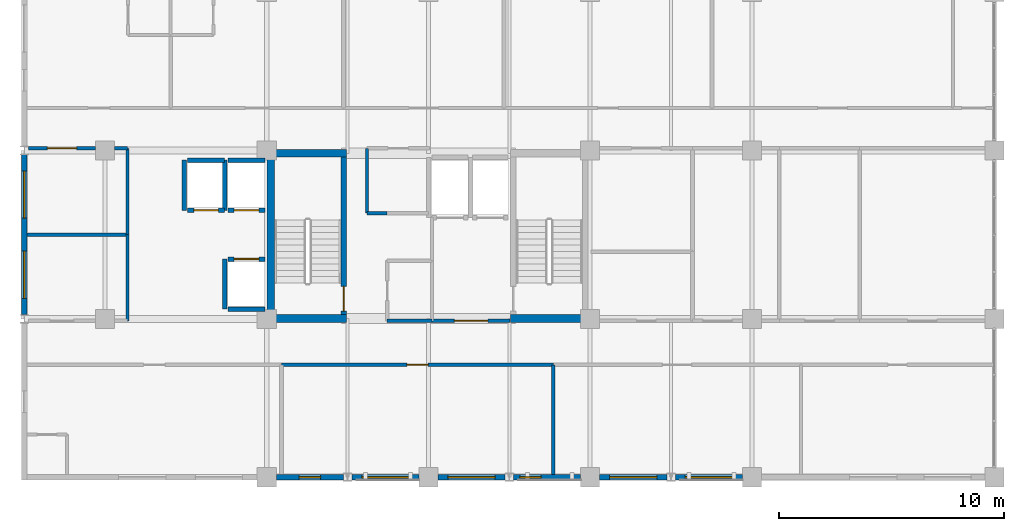
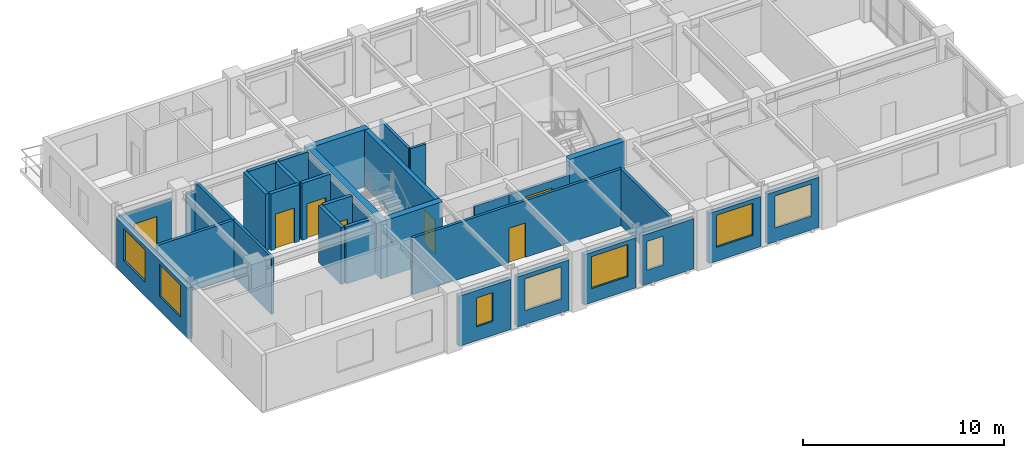
# One storey, part 6 of 11: 32 walls, 8 windows, 7 doors, 15 openings.
"""IFC4 building model written with IfcOpenShell, lengths in metres."""

from ifc_helpers import new_model, si_unit, direction, frame, frame_2d, origin, place, context, subcontext, project, spatial, rectangle, extrude, material, layer, layer_set, type_object, element, fill, save


model = new_model("IFC4")

# Units and contexts
model_context = context("Model", 3, precision=1e-05, world=origin(), true_north=direction((0.0, 1.0)))
body_context = subcontext(model_context, "Body", "Model", "MODEL_VIEW")
ifc_project = project(units=[si_unit("LENGTHUNIT", "METRE"), si_unit("AREAUNIT", "SQUARE_METRE"), si_unit("VOLUMEUNIT", "CUBIC_METRE"), si_unit("PLANEANGLEUNIT", "RADIAN"), si_unit("MASSUNIT", "GRAM", prefix="KILO")], contexts=[model_context])

# Site, building, storey
site_placement = place(None, origin())
site = spatial("IfcSite", under=ifc_project, at=site_placement, CompositionType="ELEMENT")
building_placement = place(site_placement, origin())
building = spatial("IfcBuilding", under=site, at=building_placement, Name="Kaliganga Portal Commons", CompositionType="ELEMENT")
storey_placement = place(building_placement, frame((0.0, 0.0, 264.699951171875)))
storey = spatial("IfcBuildingStorey", under=building, at=storey_placement, Name="L68", CompositionType="ELEMENT", Elevation=264.699951171875)

# Walls
ifc_material_1 = material(Name="Concrete C50/60", Category="concrete")
ifc_layer_1 = layer(ifc_material_1, 0.35009765625)
ifc_layer_set_1 = layer_set([ifc_layer_1], Name="Concrete C50/60")
wall_type_1 = type_object("IfcWallType", Name="WL-CORE-350", PredefinedType="SHEAR", material=ifc_layer_set_1)
wall_1_placement = place(storey_placement, frame((14.574951171875, 28.5, 0.0), z_axis=(0.0, 0.0, 1.0), x_axis=(0.0, 1.0, 0.0)))
element("IfcWall", 1, at=wall_1_placement, inside=storey, type_object=wall_type_1, Name="Core A West Shear Wall L68", PredefinedType="SHEAR", context=body_context, shape_type="SweptSolid", body=[
    extrude(rectangle(XDim=7.699951171875, YDim=0.35009765625, at=frame_2d((3.85009765625, 0.0))), origin(), (0.0, 0.0, 1.0), 3.47509765625),
])
for number, where, z_axis, x_axis, name in (
    (2, (14.75, 28.675048828125, 0.0), (0.0, 0.0, 1.0), (1.0, 0.0, 0.0), "Core A S-West Shear Wall L68"),
    (3, (25.25, 28.675048828125, 0.0), (0.0, 0.0, 1.0), (1.0, 0.0, 0.0), "Core A S-East Shear Wall L68"),
    (4, (14.75, 36.02490234375, 0.0), (0.0, 0.0, 1.0), (1.0, 0.0, 0.0), "Core A N-West Shear Wall L68"),
):
    element("IfcWall", number, at=place(storey_placement, frame(where, z_axis=z_axis, x_axis=x_axis)), inside=storey, type_object=wall_type_1, Name=name, PredefinedType="SHEAR", context=body_context, shape_type="SweptSolid", body=[
        extrude(rectangle(XDim=3.199951171875, YDim=0.35009765625, at=frame_2d((1.60009765625, 0.0))), origin(), (0.0, 0.0, 1.0), 3.47509765625),
    ])

# Wall, opening, window
ifc_material_2 = material(Name="Insulated Aluminium-Clad Spandrel Assembly", Category="aluminium")
ifc_layer_2 = layer(ifc_material_2, 0.260009765625)
ifc_layer_set_2 = layer_set([ifc_layer_2], Name="Insulated Aluminium-Clad Spandrel Assembly")
wall_type_2 = type_object("IfcWallType", Name="WL-EXT-SPAND-260", PredefinedType="STANDARD", material=ifc_layer_set_2)
wall_2_placement = place(storey_placement, frame((17.81201171875, 21.60009765625, 0.0), z_axis=(0.0, 0.0, 1.0), x_axis=(-1.0, 0.0, 0.0)))
wall_2 = element("IfcWall", 5, at=wall_2_placement, inside=storey, type_object=wall_type_2, Name="Exterior Envelope Wall L68 P1-E00-S2", PredefinedType="STANDARD", context=body_context, shape_type="SweptSolid", body=[
    extrude(rectangle(XDim=2.986083984375, YDim=0.260009765625, at=frame_2d((1.4931640625, 0.0))), origin(), (0.0, 0.0, 1.0), 3.054931640625),
])
opening_1_placement = place(wall_2_placement, frame((1.01806640625, 0.0, 0.85009765625)))
opening_1 = element("IfcOpeningElement", 6, at=opening_1_placement, cuts=wall_2, Name="Opening W-04", PredefinedType="OPENING", context=body_context, shape_type="SweptSolid", body=[
    extrude(rectangle(XDim=0.949951171875, YDim=1.75, at=frame_2d((0.47509765625, 0.875))), frame((0.0, 0.14013671875, 0.0), z_axis=(0.0, -1.0, 0.0), x_axis=(1.0, 0.0, 0.0)), (0.0, 0.0, 1.0), 0.280029296875),
])
ifc_material_3 = material(Name="Thermally Broken Aluminium and Low-E Double Glazing", Category="aluminium")
window_type_1 = type_object("IfcWindowType", Name="WIN-NARROW-950", PartitioningType="SINGLE_PANEL", PredefinedType="WINDOW", material=ifc_material_3)
window_1_placement = place(opening_1_placement, origin())
window_1 = element("IfcWindow", 7, at=window_1_placement, inside=storey, type_object=window_type_1, Name="Facade Window L68-P1E00S2-N0", OverallHeight=1.75, OverallWidth=0.949951171875, PartitioningType="SINGLE_PANEL", PredefinedType="WINDOW", context=body_context, shape_type="SweptSolid", body=[
    extrude(rectangle(XDim=0.949951171875, YDim=1.75, at=frame_2d((0.47509765625, 0.875))), frame((0.0, 0.030029296875, 0.0), z_axis=(0.0, -1.0, 0.0), x_axis=(1.0, 0.0, 0.0)), (0.0, 0.0, 1.0), 0.06005859375),
])
fill(opening_1, window_1)

wall_3_placement = place(storey_placement, frame((21.174072265625, 21.60009765625, 0.0), z_axis=(0.0, 0.0, 1.0), x_axis=(-1.0, 0.0, 0.0)))
wall_3 = element("IfcWall", 8, at=wall_3_placement, inside=storey, type_object=wall_type_2, Name="Exterior Envelope Wall L68 P1-E00-S3", PredefinedType="STANDARD", context=body_context, shape_type="SweptSolid", body=[
    extrude(rectangle(XDim=2.986083984375, YDim=0.260009765625, at=frame_2d((1.4931640625, 0.0))), origin(), (0.0, 0.0, 1.0), 3.054931640625),
])
opening_2_placement = place(wall_3_placement, frame((0.443115234375, 0.0, 0.85009765625)))
opening_2 = element("IfcOpeningElement", 9, at=opening_2_placement, cuts=wall_3, Name="Opening W-06", PredefinedType="OPENING", context=body_context, shape_type="SweptSolid", body=[
    extrude(rectangle(XDim=2.10009765625, YDim=1.949951171875, at=frame_2d((1.050048828125, 0.97509765625))), frame((0.0, 0.14013671875, 0.0), z_axis=(0.0, -1.0, 0.0), x_axis=(1.0, 0.0, 0.0)), (0.0, 0.0, 1.0), 0.280029296875),
])
window_type_2 = type_object("IfcWindowType", Name="WIN-PAN-2100", PartitioningType="DOUBLE_PANEL_VERTICAL", PredefinedType="WINDOW", material=ifc_material_3)
window_2_placement = place(opening_2_placement, origin())
window_2 = element("IfcWindow", 10, at=window_2_placement, inside=storey, type_object=window_type_2, Name="Facade Window L68-P1E00S3-00", OverallHeight=1.949951171875, OverallWidth=2.10009765625, PartitioningType="SINGLE_PANEL", PredefinedType="WINDOW", context=body_context, shape_type="SweptSolid", body=[
    extrude(rectangle(XDim=2.10009765625, YDim=1.949951171875, at=frame_2d((1.050048828125, 0.97509765625))), frame((0.0, 0.030029296875, 0.0), z_axis=(0.0, -1.0, 0.0), x_axis=(1.0, 0.0, 0.0)), (0.0, 0.0, 1.0), 0.06005859375),
])
fill(opening_2, window_2)

wall_4_placement = place(storey_placement, frame((25.011962890625, 21.60009765625, 0.0), z_axis=(0.0, 0.0, 1.0), x_axis=(-1.0, 0.0, 0.0)))
wall_4 = element("IfcWall", 11, at=wall_4_placement, inside=storey, type_object=wall_type_2, Name="Exterior Envelope Wall L68 P1-E00-S4", PredefinedType="STANDARD", context=body_context, shape_type="SweptSolid", body=[
    extrude(rectangle(XDim=2.986083984375, YDim=0.260009765625, at=frame_2d((1.4931640625, 0.0))), origin(), (0.0, 0.0, 1.0), 3.054931640625),
])
opening_3_placement = place(wall_4_placement, frame((0.443115234375, 0.0, 0.85009765625)))
opening_3 = element("IfcOpeningElement", 12, at=opening_3_placement, cuts=wall_4, Name="Opening W-06", PredefinedType="OPENING", context=body_context, shape_type="SweptSolid", body=[
    extrude(rectangle(XDim=2.10009765625, YDim=1.949951171875, at=frame_2d((1.050048828125, 0.97509765625))), frame((0.0, 0.14013671875, 0.0), z_axis=(0.0, -1.0, 0.0), x_axis=(1.0, 0.0, 0.0)), (0.0, 0.0, 1.0), 0.280029296875),
])
window_3_placement = place(opening_3_placement, origin())
window_3 = element("IfcWindow", 13, at=window_3_placement, inside=storey, type_object=window_type_2, Name="Facade Window L68-P1E00S4-00", OverallHeight=1.949951171875, OverallWidth=2.10009765625, PartitioningType="SINGLE_PANEL", PredefinedType="WINDOW", context=body_context, shape_type="SweptSolid", body=[
    extrude(rectangle(XDim=2.10009765625, YDim=1.949951171875, at=frame_2d((1.050048828125, 0.97509765625))), frame((0.0, 0.030029296875, 0.0), z_axis=(0.0, -1.0, 0.0), x_axis=(1.0, 0.0, 0.0)), (0.0, 0.0, 1.0), 0.06005859375),
])
fill(opening_3, window_3)

wall_5_placement = place(storey_placement, frame((28.3740234375, 21.60009765625, 0.0), z_axis=(0.0, 0.0, 1.0), x_axis=(-1.0, 0.0, 0.0)))
wall_5 = element("IfcWall", 14, at=wall_5_placement, inside=storey, type_object=wall_type_2, Name="Exterior Envelope Wall L68 P1-E00-S5", PredefinedType="STANDARD", context=body_context, shape_type="SweptSolid", body=[
    extrude(rectangle(XDim=2.986083984375, YDim=0.260009765625, at=frame_2d((1.4931640625, 0.0))), origin(), (0.0, 0.0, 1.0), 3.054931640625),
])
opening_4_placement = place(wall_5_placement, frame((1.758544921875, 0.0, 0.85009765625)))
opening_4 = element("IfcOpeningElement", 15, at=opening_4_placement, cuts=wall_5, Name="Opening W-04", PredefinedType="OPENING", context=body_context, shape_type="SweptSolid", body=[
    extrude(rectangle(XDim=0.949951171875, YDim=1.75, at=frame_2d((0.47509765625, 0.875))), frame((0.0, 0.14013671875, 0.0), z_axis=(0.0, -1.0, 0.0), x_axis=(1.0, 0.0, 0.0)), (0.0, 0.0, 1.0), 0.280029296875),
])
window_4_placement = place(opening_4_placement, origin())
window_4 = element("IfcWindow", 16, at=window_4_placement, inside=storey, type_object=window_type_1, Name="Facade Window L68-P1E00S5-N2", OverallHeight=1.75, OverallWidth=0.949951171875, PartitioningType="SINGLE_PANEL", PredefinedType="WINDOW", context=body_context, shape_type="SweptSolid", body=[
    extrude(rectangle(XDim=0.949951171875, YDim=1.75, at=frame_2d((0.47509765625, 0.875))), frame((0.0, 0.030029296875, 0.0), z_axis=(0.0, -1.0, 0.0), x_axis=(1.0, 0.0, 0.0)), (0.0, 0.0, 1.0), 0.06005859375),
])
fill(opening_4, window_4)

wall_6_placement = place(storey_placement, frame((32.2119140625, 21.60009765625, 0.0), z_axis=(0.0, 0.0, 1.0), x_axis=(-1.0, 0.0, 0.0)))
wall_6 = element("IfcWall", 17, at=wall_6_placement, inside=storey, type_object=wall_type_2, Name="Exterior Envelope Wall L68 P1-E00-S6", PredefinedType="STANDARD", context=body_context, shape_type="SweptSolid", body=[
    extrude(rectangle(XDim=2.98583984375, YDim=0.260009765625, at=frame_2d((1.492919921875, 0.0))), origin(), (0.0, 0.0, 1.0), 3.054931640625),
])
opening_5_placement = place(wall_6_placement, frame((0.443115234375, 0.0, 0.85009765625)))
opening_5 = element("IfcOpeningElement", 18, at=opening_5_placement, cuts=wall_6, Name="Opening W-06", PredefinedType="OPENING", context=body_context, shape_type="SweptSolid", body=[
    extrude(rectangle(XDim=2.10009765625, YDim=1.949951171875, at=frame_2d((1.050048828125, 0.97509765625))), frame((0.0, 0.14013671875, 0.0), z_axis=(0.0, -1.0, 0.0), x_axis=(1.0, 0.0, 0.0)), (0.0, 0.0, 1.0), 0.280029296875),
])
window_5_placement = place(opening_5_placement, origin())
window_5 = element("IfcWindow", 19, at=window_5_placement, inside=storey, type_object=window_type_2, Name="Facade Window L68-P1E00S6-00", OverallHeight=1.949951171875, OverallWidth=2.10009765625, PartitioningType="SINGLE_PANEL", PredefinedType="WINDOW", context=body_context, shape_type="SweptSolid", body=[
    extrude(rectangle(XDim=2.10009765625, YDim=1.949951171875, at=frame_2d((1.050048828125, 0.97509765625))), frame((0.0, 0.030029296875, 0.0), z_axis=(0.0, -1.0, 0.0), x_axis=(1.0, 0.0, 0.0)), (0.0, 0.0, 1.0), 0.06005859375),
])
fill(opening_5, window_5)

wall_7_placement = place(storey_placement, frame((35.573974609375, 21.60009765625, 0.0), z_axis=(0.0, 0.0, 1.0), x_axis=(-1.0, 0.0, 0.0)))
wall_7 = element("IfcWall", 20, at=wall_7_placement, inside=storey, type_object=wall_type_2, Name="Exterior Envelope Wall L68 P1-E00-S7", PredefinedType="STANDARD", context=body_context, shape_type="SweptSolid", body=[
    extrude(rectangle(XDim=2.986083984375, YDim=0.260009765625, at=frame_2d((1.4931640625, 0.0))), origin(), (0.0, 0.0, 1.0), 3.054931640625),
])
opening_6_placement = place(wall_7_placement, frame((0.443115234375, 0.0, 0.85009765625)))
opening_6 = element("IfcOpeningElement", 21, at=opening_6_placement, cuts=wall_7, Name="Opening W-06", PredefinedType="OPENING", context=body_context, shape_type="SweptSolid", body=[
    extrude(rectangle(XDim=2.10009765625, YDim=1.949951171875, at=frame_2d((1.050048828125, 0.97509765625))), frame((0.0, 0.14013671875, 0.0), z_axis=(0.0, -1.0, 0.0), x_axis=(1.0, 0.0, 0.0)), (0.0, 0.0, 1.0), 0.280029296875),
])
window_6_placement = place(opening_6_placement, origin())
window_6 = element("IfcWindow", 22, at=window_6_placement, inside=storey, type_object=window_type_2, Name="Facade Window L68-P1E00S7-00", OverallHeight=1.949951171875, OverallWidth=2.10009765625, PartitioningType="SINGLE_PANEL", PredefinedType="WINDOW", context=body_context, shape_type="SweptSolid", body=[
    extrude(rectangle(XDim=2.10009765625, YDim=1.949951171875, at=frame_2d((1.050048828125, 0.97509765625))), frame((0.0, 0.030029296875, 0.0), z_axis=(0.0, -1.0, 0.0), x_axis=(1.0, 0.0, 0.0)), (0.0, 0.0, 1.0), 0.06005859375),
])
fill(opening_6, window_6)

# Wall, openings, windows
wall_8_placement = place(storey_placement, frame((3.60009765625, 28.8369140625, 0.0), z_axis=(0.0, 0.0, 1.0), x_axis=(0.0, 1.0, 0.0)))
wall_8 = element("IfcWall", 23, at=wall_8_placement, inside=storey, type_object=wall_type_2, Name="Exterior Envelope Wall L68 P1-E03-S2", PredefinedType="STANDARD", context=body_context, shape_type="SweptSolid", body=[
    extrude(rectangle(XDim=7.1259765625, YDim=0.260009765625, at=frame_2d((3.56298828125, 0.0))), origin(), (0.0, 0.0, 1.0), 3.054931640625),
])
opening_7_placement = place(wall_8_placement, frame((0.7314453125, 0.0, 0.85009765625)))
opening_7 = element("IfcOpeningElement", 24, at=opening_7_placement, cuts=wall_8, Name="Opening W-06", PredefinedType="OPENING", context=body_context, shape_type="SweptSolid", body=[
    extrude(rectangle(XDim=2.10009765625, YDim=1.949951171875, at=frame_2d((1.050048828125, 0.97509765625))), frame((0.0, 0.14013671875, 0.0), z_axis=(0.0, -1.0, 0.0), x_axis=(1.0, 0.0, 0.0)), (0.0, 0.0, 1.0), 0.280029296875),
])
opening_8_placement = place(wall_8_placement, frame((4.29443359375, 0.0, 0.85009765625)))
opening_8 = element("IfcOpeningElement", 25, at=opening_8_placement, cuts=wall_8, Name="Opening W-06", PredefinedType="OPENING", context=body_context, shape_type="SweptSolid", body=[
    extrude(rectangle(XDim=2.10009765625, YDim=1.949951171875, at=frame_2d((1.050048828125, 0.97509765625))), frame((0.0, 0.14013671875, 0.0), z_axis=(0.0, -1.0, 0.0), x_axis=(1.0, 0.0, 0.0)), (0.0, 0.0, 1.0), 0.280029296875),
])
window_7_placement = place(opening_7_placement, origin())
window_7 = element("IfcWindow", 26, at=window_7_placement, inside=storey, type_object=window_type_2, Name="Facade Window L68-P1E03S2-00", OverallHeight=1.949951171875, OverallWidth=2.10009765625, PartitioningType="SINGLE_PANEL", PredefinedType="WINDOW", context=body_context, shape_type="SweptSolid", body=[
    extrude(rectangle(XDim=2.10009765625, YDim=1.949951171875, at=frame_2d((1.050048828125, 0.97509765625))), frame((0.0, 0.030029296875, 0.0), z_axis=(0.0, -1.0, 0.0), x_axis=(1.0, 0.0, 0.0)), (0.0, 0.0, 1.0), 0.06005859375),
])
fill(opening_7, window_7)
window_8_placement = place(opening_8_placement, origin())
window_8 = element("IfcWindow", 27, at=window_8_placement, inside=storey, type_object=window_type_2, Name="Facade Window L68-P1E03S2-01", OverallHeight=1.949951171875, OverallWidth=2.10009765625, PartitioningType="SINGLE_PANEL", PredefinedType="WINDOW", context=body_context, shape_type="SweptSolid", body=[
    extrude(rectangle(XDim=2.10009765625, YDim=1.949951171875, at=frame_2d((1.050048828125, 0.97509765625))), frame((0.0, 0.030029296875, 0.0), z_axis=(0.0, -1.0, 0.0), x_axis=(1.0, 0.0, 0.0)), (0.0, 0.0, 1.0), 0.06005859375),
])
fill(opening_8, window_8)

# Wall, opening, door
ifc_material_4 = material(Name="Fire-Rated Gypsum Board on Steel Stud", Category="steel")
ifc_layer_3 = layer(ifc_material_4, 0.14990234375)
ifc_layer_set_3 = layer_set([ifc_layer_3], Name="Fire-Rated Gypsum Board on Steel Stud")
wall_type_3 = type_object("IfcWallType", Name="WL-PART-CORR-150", PredefinedType="PARTITIONING", material=ifc_layer_set_3)
wall_9_placement = place(storey_placement, frame((15.06005859375, 26.60009765625, 0.0), z_axis=(0.0, 0.0, 1.0), x_axis=(1.0, 0.0, 0.0)))
wall_9 = element("IfcWall", 28, at=wall_9_placement, inside=storey, type_object=wall_type_3, Name="Interior Partition L68-008", PredefinedType="PARTITIONING", context=body_context, shape_type="SweptSolid", body=[
    extrude(rectangle(XDim=12.099853515625, YDim=0.14990234375, at=frame_2d((6.0498046875, 0.0))), origin(), (0.0, 0.0, 1.0), 3.455078125),
])
opening_9_placement = place(wall_9_placement, frame((5.574951171875, 0.0, 0.0)))
opening_9 = element("IfcOpeningElement", 29, at=opening_9_placement, cuts=wall_9, Name="Opening UD-01", PredefinedType="OPENING", context=body_context, shape_type="SweptSolid", body=[
    extrude(rectangle(XDim=0.949951171875, YDim=2.10009765625, at=frame_2d((0.47509765625, 1.050048828125))), frame((0.0, 0.0849609375, 0.0), z_axis=(0.0, -1.0, 0.0), x_axis=(1.0, 0.0, 0.0)), (0.0, 0.0, 1.0), 0.169921875),
])
ifc_material_5 = material(Name="Solid-Core Timber Acoustic Fire Door", Category="wood")
door_type_1 = type_object("IfcDoorType", Name="DR-UNIT-950", OperationType="NOTDEFINED", PredefinedType="DOOR", material=ifc_material_5)
door_1_placement = place(opening_9_placement, origin())
door_1 = element("IfcDoor", 30, at=door_1_placement, inside=storey, type_object=door_type_1, Name="Interior Door L68-AS02", OperationType="SINGLE_SWING_RIGHT", OverallHeight=2.10009765625, OverallWidth=0.949951171875, PredefinedType="DOOR", context=body_context, shape_type="SweptSolid", body=[
    extrude(rectangle(XDim=0.949951171875, YDim=2.10009765625, at=frame_2d((0.47509765625, 1.050048828125))), frame((0.0, 0.02490234375, 0.0), z_axis=(0.0, -1.0, 0.0), x_axis=(1.0, 0.0, 0.0)), (0.0, 0.0, 1.0), 0.050048828125),
])
fill(opening_9, door_1)

wall_10_placement = place(storey_placement, frame((3.787109375, 36.239990234375, 0.0), z_axis=(0.0, 0.0, 1.0), x_axis=(1.0, 0.0, 0.0)))
wall_10 = element("IfcWall", 31, at=wall_10_placement, inside=storey, type_object=wall_type_3, Name="Interior Partition L68-021", PredefinedType="PARTITIONING", context=body_context, shape_type="SweptSolid", body=[
    extrude(rectangle(XDim=2.98779296875, YDim=0.14990234375, at=frame_2d((1.493896484375, 0.0))), origin(), (0.0, 0.0, 1.0), 2.905029296875),
])
opening_10_placement = place(wall_10_placement, frame((0.843994140625, 0.0, 0.0)))
opening_10 = element("IfcOpeningElement", 32, at=opening_10_placement, cuts=wall_10, Name="Opening RD-03", PredefinedType="OPENING", context=body_context, shape_type="SweptSolid", body=[
    extrude(rectangle(XDim=1.300048828125, YDim=2.1201171875, at=frame_2d((0.64990234375, 1.06005859375))), frame((0.0, 0.0849609375, 0.0), z_axis=(0.0, -1.0, 0.0), x_axis=(1.0, 0.0, 0.0)), (0.0, 0.0, 1.0), 0.169921875),
])
ifc_material_6 = material(Name="Glazed Timber Seminar Vision Door", Category="wood")
door_type_2 = type_object("IfcDoorType", Name="DR-STUDY-1300", OperationType="DOUBLE_DOOR_SINGLE_SWING", PredefinedType="DOOR", material=ifc_material_6)
door_2_placement = place(opening_10_placement, origin())
door_2 = element("IfcDoor", 33, at=door_2_placement, inside=storey, type_object=door_type_2, Name="Interior Door L68-AW02", OperationType="DOUBLE_DOOR_SINGLE_SWING", OverallHeight=2.1201171875, OverallWidth=1.300048828125, PredefinedType="DOOR", context=body_context, shape_type="SweptSolid", body=[
    extrude(rectangle(XDim=1.300048828125, YDim=2.1201171875, at=frame_2d((0.64990234375, 1.06005859375))), frame((0.0, 0.02490234375, 0.0), z_axis=(0.0, -1.0, 0.0), x_axis=(1.0, 0.0, 0.0)), (0.0, 0.0, 1.0), 0.050048828125),
])
fill(opening_10, door_2)

# Walls
wall_11_placement = place(storey_placement, frame((7.625, 36.239990234375, 0.0), z_axis=(0.0, 0.0, 1.0), x_axis=(1.0, 0.0, 0.0)))
element("IfcWall", 34, at=wall_11_placement, inside=storey, type_object=wall_type_3, Name="Interior Partition L68-022", PredefinedType="PARTITIONING", context=body_context, shape_type="SweptSolid", body=[
    extrude(rectangle(XDim=0.574951171875, YDim=0.14990234375, at=frame_2d((0.28759765625, 0.0))), origin(), (0.0, 0.0, 1.0), 2.905029296875),
])
wall_12_placement = place(storey_placement, frame((8.199951171875, 32.39990234375, 0.0), z_axis=(0.0, 0.0, 1.0), x_axis=(0.0, 1.0, 0.0)))
element("IfcWall", 35, at=wall_12_placement, inside=storey, type_object=wall_type_3, Name="Interior Partition L68-029", PredefinedType="PARTITIONING", context=body_context, shape_type="SweptSolid", body=[
    extrude(rectangle(XDim=3.840087890625, YDim=0.14990234375, at=frame_2d((1.919921875, 0.0))), origin(), (0.0, 0.0, 1.0), 3.455078125),
])
wall_13_placement = place(storey_placement, frame((8.199951171875, 28.56005859375, 0.0), z_axis=(0.0, 0.0, 1.0), x_axis=(0.0, 1.0, 0.0)))
element("IfcWall", 36, at=wall_13_placement, inside=storey, type_object=wall_type_3, Name="Interior Partition L68-030", PredefinedType="PARTITIONING", context=body_context, shape_type="SweptSolid", body=[
    extrude(rectangle(XDim=3.83984375, YDim=0.14990234375, at=frame_2d((1.919921875, 0.0))), origin(), (0.0, 0.0, 1.0), 3.455078125),
])
wall_14_placement = place(storey_placement, frame((18.860107421875, 33.360107421875, 0.0), z_axis=(0.0, 0.0, 1.0), x_axis=(0.0, 1.0, 0.0)))
element("IfcWall", 37, at=wall_14_placement, inside=storey, type_object=wall_type_3, Name="Interior Partition L68-033", PredefinedType="PARTITIONING", context=body_context, shape_type="SweptSolid", body=[
    extrude(rectangle(XDim=2.8798828125, YDim=0.14990234375, at=frame_2d((1.43994140625, 0.0))), origin(), (0.0, 0.0, 1.0), 3.455078125),
])
wall_15_placement = place(storey_placement, frame((19.760009765625, 28.56005859375, 0.0), z_axis=(0.0, 0.0, 1.0), x_axis=(1.0, 0.0, 0.0)))
element("IfcWall", 38, at=wall_15_placement, inside=storey, type_object=wall_type_3, Name="Interior Partition L68-037", PredefinedType="PARTITIONING", context=body_context, shape_type="SweptSolid", body=[
    extrude(rectangle(XDim=2.0, YDim=0.14990234375, at=frame_2d((1.0, 0.0))), origin(), (0.0, 0.0, 1.0), 2.554931640625),
])
wall_16_placement = place(storey_placement, frame((18.860107421875, 33.360107421875, 0.0), z_axis=(0.0, 0.0, 1.0), x_axis=(1.0, 0.0, 0.0)))
element("IfcWall", 39, at=wall_16_placement, inside=storey, type_object=wall_type_3, Name="Interior Partition L68-041", PredefinedType="PARTITIONING", context=body_context, shape_type="SweptSolid", body=[
    extrude(rectangle(XDim=0.89990234375, YDim=0.14990234375, at=frame_2d((0.449951171875, 0.0))), origin(), (0.0, 0.0, 1.0), 3.455078125),
])

# Wall, opening, door
wall_17_placement = place(storey_placement, frame((21.760009765625, 28.56005859375, 0.0), z_axis=(0.0, 0.0, 1.0), x_axis=(1.0, 0.0, 0.0)))
wall_17 = element("IfcWall", 40, at=wall_17_placement, inside=storey, type_object=wall_type_3, Name="Interior Partition L68-054", PredefinedType="PARTITIONING", context=body_context, shape_type="SweptSolid", body=[
    extrude(rectangle(XDim=3.47998046875, YDim=0.14990234375, at=frame_2d((1.739990234375, 0.0))), origin(), (0.0, 0.0, 1.0), 2.554931640625),
])
opening_11_placement = place(wall_17_placement, frame((0.989990234375, 0.0, 0.0)))
opening_11 = element("IfcOpeningElement", 41, at=opening_11_placement, cuts=wall_17, Name="Opening FD-01", PredefinedType="OPENING", context=body_context, shape_type="SweptSolid", body=[
    extrude(rectangle(XDim=1.5, YDim=2.10009765625, at=frame_2d((0.75, 1.050048828125))), frame((0.0, 0.0849609375, 0.0), z_axis=(0.0, -1.0, 0.0), x_axis=(1.0, 0.0, 0.0)), (0.0, 0.0, 1.0), 0.169921875),
])
ifc_material_7 = material(Name="Fire-Rated Hardwood and Georgian-Wired Vision Panel", Category="wood")
door_type_3 = type_object("IfcDoorType", Name="DR-LOBBY-1500", OperationType="DOUBLE_DOOR_SINGLE_SWING", PredefinedType="DOOR", material=ifc_material_7)
door_3_placement = place(opening_11_placement, origin())
door_3 = element("IfcDoor", 42, at=door_3_placement, inside=storey, type_object=door_type_3, Name="Interior Door L68-FFLOB_A", OperationType="DOUBLE_DOOR_SINGLE_SWING", OverallHeight=2.10009765625, OverallWidth=1.5, PredefinedType="DOOR", context=body_context, shape_type="SweptSolid", body=[
    extrude(rectangle(XDim=1.5, YDim=2.10009765625, at=frame_2d((0.75, 1.050048828125))), frame((0.0, 0.02490234375, 0.0), z_axis=(0.0, -1.0, 0.0), x_axis=(1.0, 0.0, 0.0)), (0.0, 0.0, 1.0), 0.050048828125),
])
fill(opening_11, door_3)

# Walls
ifc_material_8 = material(Name="Twin-Stud Acoustic Gypsum Partition", Category="gypsum")
ifc_layer_4 = layer(ifc_material_8, 0.1650390625)
ifc_layer_set_4 = layer_set([ifc_layer_4], Name="Twin-Stud Acoustic Gypsum Partition")
wall_type_4 = type_object("IfcWallType", Name="WL-PART-UNIT-165", PredefinedType="PARTITIONING", material=ifc_layer_set_4)
wall_18_placement = place(storey_placement, frame((27.159912109375, 21.73193359375, 0.0), z_axis=(0.0, 0.0, 1.0), x_axis=(0.0, 1.0, 0.0)))
element("IfcWall", 43, at=wall_18_placement, inside=storey, type_object=wall_type_4, Name="Interior Partition L68-049", PredefinedType="PARTITIONING", context=body_context, shape_type="SweptSolid", body=[
    extrude(rectangle(XDim=4.8681640625, YDim=0.1650390625, at=frame_2d((2.43408203125, 0.0))), origin(), (0.0, 0.0, 1.0), 3.455078125),
])
wall_19_placement = place(storey_placement, frame((3.73193359375, 32.39990234375, 0.0), z_axis=(0.0, 0.0, 1.0), x_axis=(1.0, 0.0, 0.0)))
element("IfcWall", 44, at=wall_19_placement, inside=storey, type_object=wall_type_4, Name="Interior Partition L68-052", PredefinedType="PARTITIONING", context=body_context, shape_type="SweptSolid", body=[
    extrude(rectangle(XDim=4.468017578125, YDim=0.1650390625, at=frame_2d((2.23388671875, 0.0))), origin(), (0.0, 0.0, 1.0), 3.455078125),
])

# Wall, opening, door
ifc_material_9 = material(Name="Fire-Rated Shaftwall Masonry Assembly", Category="masonry")
ifc_layer_5 = layer(ifc_material_9, 0.199951171875)
ifc_layer_set_5 = layer_set([ifc_layer_5], Name="Fire-Rated Shaftwall Masonry Assembly")
wall_type_5 = type_object("IfcWallType", Name="WL-SHAFT-200", PredefinedType="PARTITIONING", material=ifc_layer_set_5)
wall_20_placement = place(storey_placement, frame((12.675048828125, 33.485107421875, 0.0), z_axis=(0.0, 0.0, 1.0), x_axis=(1.0, 0.0, 0.0)))
wall_20 = element("IfcWall", 45, at=wall_20_placement, inside=storey, type_object=wall_type_5, Name="Lift PL-A3 Hoistway Shaft Wall L68-S", PredefinedType="PARTITIONING", context=body_context, shape_type="SweptSolid", body=[
    extrude(rectangle(XDim=1.64990234375, YDim=0.199951171875, at=frame_2d((0.824951171875, 0.0))), origin(), (0.0, 0.0, 1.0), 3.455078125),
])
opening_12_placement = place(wall_20_placement, frame((0.27490234375, 0.0, 0.0)))
opening_12 = element("IfcOpeningElement", 46, at=opening_12_placement, cuts=wall_20, Name="Opening LD-01", PredefinedType="OPENING", context=body_context, shape_type="SweptSolid", body=[
    extrude(rectangle(XDim=1.10009765625, YDim=2.1201171875, at=frame_2d((0.550048828125, 1.06005859375))), frame((0.0, 0.10986328125, 0.0), z_axis=(0.0, -1.0, 0.0), x_axis=(1.0, 0.0, 0.0)), (0.0, 0.0, 1.0), 0.219970703125),
])
ifc_material_10 = material(Name="Brushed Stainless Steel 316 Lift Landing Door", Category="steel")
door_type_4 = type_object("IfcDoorType", Name="DR-LIFT-1100", OperationType="SLIDING_TO_LEFT", PredefinedType="DOOR", material=ifc_material_10)
door_4_placement = place(opening_12_placement, origin())
door_4 = element("IfcDoor", 47, at=door_4_placement, inside=storey, type_object=door_type_4, Name="Lift PL-A3 Sliding Landing Door L68", OperationType="SLIDING_TO_LEFT", OverallHeight=2.1201171875, OverallWidth=1.10009765625, PredefinedType="DOOR", context=body_context, shape_type="SweptSolid", body=[
    extrude(rectangle(XDim=1.10009765625, YDim=2.1201171875, at=frame_2d((0.550048828125, 1.06005859375))), frame((0.0, 0.02490234375, 0.0), z_axis=(0.0, -1.0, 0.0), x_axis=(1.0, 0.0, 0.0)), (0.0, 0.0, 1.0), 0.050048828125),
])
fill(opening_12, door_4)

# Walls
wall_21_placement = place(storey_placement, frame((12.675048828125, 35.715087890625, 0.0), z_axis=(0.0, 0.0, 1.0), x_axis=(1.0, 0.0, 0.0)))
element("IfcWall", 48, at=wall_21_placement, inside=storey, type_object=wall_type_5, Name="Lift PL-A3 Hoistway Shaft Wall L68-N", PredefinedType="PARTITIONING", context=body_context, shape_type="SweptSolid", body=[
    extrude(rectangle(XDim=1.64990234375, YDim=0.199951171875, at=frame_2d((0.824951171875, 0.0))), origin(), (0.0, 0.0, 1.0), 3.455078125),
])
wall_22_placement = place(storey_placement, frame((12.534912109375, 33.485107421875, 0.0), z_axis=(0.0, 0.0, 1.0), x_axis=(0.0, 1.0, 0.0)))
element("IfcWall", 49, at=wall_22_placement, inside=storey, type_object=wall_type_5, Name="Lift PL-A3 Hoistway Shaft Wall L68-W", PredefinedType="PARTITIONING", context=body_context, shape_type="SweptSolid", body=[
    extrude(rectangle(XDim=2.22998046875, YDim=0.199951171875, at=frame_2d((1.114990234375, 0.0))), origin(), (0.0, 0.0, 1.0), 3.455078125),
])
wall_23_placement = place(storey_placement, frame((12.675048828125, 29.0849609375, 0.0), z_axis=(0.0, 0.0, 1.0), x_axis=(1.0, 0.0, 0.0)))
element("IfcWall", 50, at=wall_23_placement, inside=storey, type_object=wall_type_5, Name="Lift PL-A4 Hoistway Shaft Wall L68-S", PredefinedType="PARTITIONING", context=body_context, shape_type="SweptSolid", body=[
    extrude(rectangle(XDim=1.64990234375, YDim=0.199951171875, at=frame_2d((0.824951171875, 0.0))), origin(), (0.0, 0.0, 1.0), 3.455078125),
])

# Wall, opening, door
wall_24_placement = place(storey_placement, frame((12.675048828125, 31.31494140625, 0.0), z_axis=(0.0, 0.0, 1.0), x_axis=(1.0, 0.0, 0.0)))
wall_24 = element("IfcWall", 51, at=wall_24_placement, inside=storey, type_object=wall_type_5, Name="Lift PL-A4 Hoistway Shaft Wall L68-N", PredefinedType="PARTITIONING", context=body_context, shape_type="SweptSolid", body=[
    extrude(rectangle(XDim=1.64990234375, YDim=0.199951171875, at=frame_2d((0.824951171875, 0.0))), origin(), (0.0, 0.0, 1.0), 3.455078125),
])
opening_13_placement = place(wall_24_placement, frame((0.27490234375, 0.0, 0.0)))
opening_13 = element("IfcOpeningElement", 52, at=opening_13_placement, cuts=wall_24, Name="Opening LD-01", PredefinedType="OPENING", context=body_context, shape_type="SweptSolid", body=[
    extrude(rectangle(XDim=1.10009765625, YDim=2.1201171875, at=frame_2d((0.550048828125, 1.06005859375))), frame((0.0, 0.10986328125, 0.0), z_axis=(0.0, -1.0, 0.0), x_axis=(1.0, 0.0, 0.0)), (0.0, 0.0, 1.0), 0.219970703125),
])
door_5_placement = place(opening_13_placement, origin())
door_5 = element("IfcDoor", 53, at=door_5_placement, inside=storey, type_object=door_type_4, Name="Lift PL-A4 Sliding Landing Door L68", OperationType="SLIDING_TO_LEFT", OverallHeight=2.1201171875, OverallWidth=1.10009765625, PredefinedType="DOOR", context=body_context, shape_type="SweptSolid", body=[
    extrude(rectangle(XDim=1.10009765625, YDim=2.1201171875, at=frame_2d((0.550048828125, 1.06005859375))), frame((0.0, 0.02490234375, 0.0), z_axis=(0.0, -1.0, 0.0), x_axis=(1.0, 0.0, 0.0)), (0.0, 0.0, 1.0), 0.050048828125),
])
fill(opening_13, door_5)

# Wall
wall_25_placement = place(storey_placement, frame((12.534912109375, 29.0849609375, 0.0), z_axis=(0.0, 0.0, 1.0), x_axis=(0.0, 1.0, 0.0)))
element("IfcWall", 54, at=wall_25_placement, inside=storey, type_object=wall_type_5, Name="Lift PL-A4 Hoistway Shaft Wall L68-W", PredefinedType="PARTITIONING", context=body_context, shape_type="SweptSolid", body=[
    extrude(rectangle(XDim=2.22998046875, YDim=0.199951171875, at=frame_2d((1.114990234375, 0.0))), origin(), (0.0, 0.0, 1.0), 3.455078125),
])

# Wall, opening, door
wall_26_placement = place(storey_placement, frame((10.875, 33.485107421875, 0.0), z_axis=(0.0, 0.0, 1.0), x_axis=(1.0, 0.0, 0.0)))
wall_26 = element("IfcWall", 55, at=wall_26_placement, inside=storey, type_object=wall_type_5, Name="Lift PL-OBS Hoistway Shaft Wall L68-S", PredefinedType="PARTITIONING", context=body_context, shape_type="SweptSolid", body=[
    extrude(rectangle(XDim=1.64990234375, YDim=0.199951171875, at=frame_2d((0.824951171875, 0.0))), origin(), (0.0, 0.0, 1.0), 3.455078125),
])
opening_14_placement = place(wall_26_placement, frame((0.27490234375, 0.0, 0.0)))
opening_14 = element("IfcOpeningElement", 56, at=opening_14_placement, cuts=wall_26, Name="Opening LD-01", PredefinedType="OPENING", context=body_context, shape_type="SweptSolid", body=[
    extrude(rectangle(XDim=1.10009765625, YDim=2.1201171875, at=frame_2d((0.550048828125, 1.06005859375))), frame((0.0, 0.10986328125, 0.0), z_axis=(0.0, -1.0, 0.0), x_axis=(1.0, 0.0, 0.0)), (0.0, 0.0, 1.0), 0.219970703125),
])
door_6_placement = place(opening_14_placement, origin())
door_6 = element("IfcDoor", 57, at=door_6_placement, inside=storey, type_object=door_type_4, Name="Lift PL-OBS Sliding Landing Door L68", OperationType="SLIDING_TO_LEFT", OverallHeight=2.1201171875, OverallWidth=1.10009765625, PredefinedType="DOOR", context=body_context, shape_type="SweptSolid", body=[
    extrude(rectangle(XDim=1.10009765625, YDim=2.1201171875, at=frame_2d((0.550048828125, 1.06005859375))), frame((0.0, 0.02490234375, 0.0), z_axis=(0.0, -1.0, 0.0), x_axis=(1.0, 0.0, 0.0)), (0.0, 0.0, 1.0), 0.050048828125),
])
fill(opening_14, door_6)

# Walls
wall_27_placement = place(storey_placement, frame((10.875, 35.715087890625, 0.0), z_axis=(0.0, 0.0, 1.0), x_axis=(1.0, 0.0, 0.0)))
element("IfcWall", 58, at=wall_27_placement, inside=storey, type_object=wall_type_5, Name="Lift PL-OBS Hoistway Shaft Wall L68-N", PredefinedType="PARTITIONING", context=body_context, shape_type="SweptSolid", body=[
    extrude(rectangle(XDim=1.64990234375, YDim=0.199951171875, at=frame_2d((0.824951171875, 0.0))), origin(), (0.0, 0.0, 1.0), 3.455078125),
])
wall_28_placement = place(storey_placement, frame((10.735107421875, 33.485107421875, 0.0), z_axis=(0.0, 0.0, 1.0), x_axis=(0.0, 1.0, 0.0)))
element("IfcWall", 59, at=wall_28_placement, inside=storey, type_object=wall_type_5, Name="Lift PL-OBS Hoistway Shaft Wall L68-W", PredefinedType="PARTITIONING", context=body_context, shape_type="SweptSolid", body=[
    extrude(rectangle(XDim=2.22998046875, YDim=0.199951171875, at=frame_2d((1.114990234375, 0.0))), origin(), (0.0, 0.0, 1.0), 3.455078125),
])

# Wall, opening, door
ifc_layer_6 = layer(ifc_material_1, 0.25)
ifc_layer_set_6 = layer_set([ifc_layer_6], Name="Concrete C50/60")
wall_type_6 = type_object("IfcWallType", Name="WL-STAIR-250", PredefinedType="SHEAR", material=ifc_layer_set_6)
wall_29_placement = place(storey_placement, frame((17.824951171875, 28.85009765625, 0.0), z_axis=(0.0, 0.0, 1.0), x_axis=(0.0, 1.0, 0.0)))
wall_29 = element("IfcWall", 60, at=wall_29_placement, inside=storey, type_object=wall_type_6, Name="Stair A1 Enclosure Shear Wall L68", PredefinedType="SHEAR", context=body_context, shape_type="SweptSolid", body=[
    extrude(rectangle(XDim=7.0, YDim=0.25, at=frame_2d((3.5, 0.0))), origin(), (0.0, 0.0, 1.0), 3.47509765625),
])
opening_15_placement = place(wall_29_placement, frame((0.14990234375, 0.0, 0.0)))
opening_15 = element("IfcOpeningElement", 61, at=opening_15_placement, cuts=wall_29, Name="Opening SD-01", PredefinedType="OPENING", context=body_context, shape_type="SweptSolid", body=[
    extrude(rectangle(XDim=1.10009765625, YDim=2.080078125, at=frame_2d((0.550048828125, 1.0400390625))), frame((0.0, 0.135009765625, 0.0), z_axis=(0.0, -1.0, 0.0), x_axis=(1.0, 0.0, 0.0)), (0.0, 0.0, 1.0), 0.27001953125),
])
ifc_material_11 = material(Name="Galvanized Steel Fire Door Leaf and Frame", Category="steel")
door_type_5 = type_object("IfcDoorType", Name="DR-STAIR-1100", OperationType="NOTDEFINED", PredefinedType="DOOR", material=ifc_material_11)
door_7_placement = place(opening_15_placement, origin())
door_7 = element("IfcDoor", 62, at=door_7_placement, inside=storey, type_object=door_type_5, Name="Protected Stair ST-A1 Fire Door L68", OperationType="SINGLE_SWING_RIGHT", OverallHeight=2.080078125, OverallWidth=1.10009765625, PredefinedType="DOOR", context=body_context, shape_type="SweptSolid", body=[
    extrude(rectangle(XDim=1.10009765625, YDim=2.080078125, at=frame_2d((0.550048828125, 1.0400390625))), frame((0.0, 0.02490234375, 0.0), z_axis=(0.0, -1.0, 0.0), x_axis=(1.0, 0.0, 0.0)), (0.0, 0.0, 1.0), 0.050048828125),
])
fill(opening_15, door_7)

save(model, "model.ifc")
